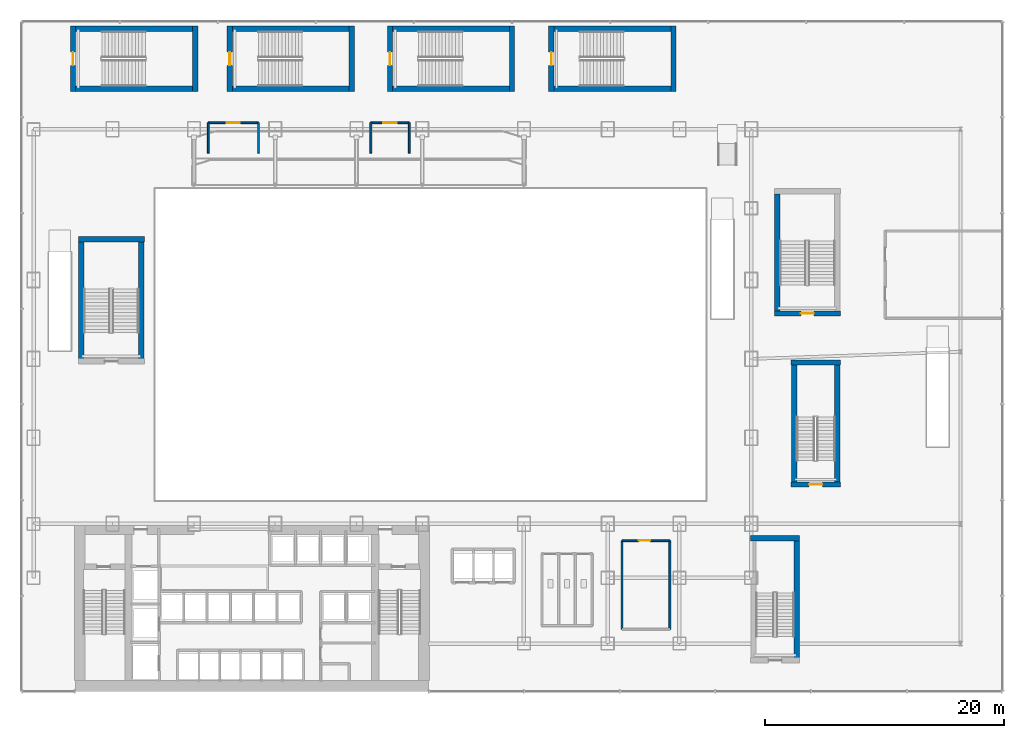
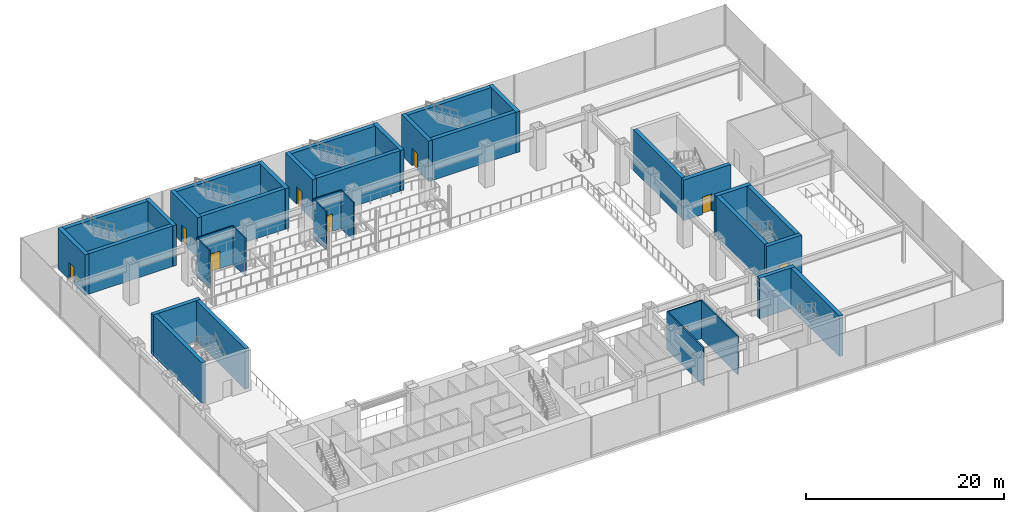
# One storey, part 30 of 39: 36 walls, 9 doors, 9 openings.
"""IFC4 building model written with IfcOpenShell, lengths in metres."""

import ifcopenshell
import ifcopenshell.guid

model = None  # the IFC model being written
_history = None  # IfcOwnerHistory: only IFC2X3 demands one
_inside = {}  # id of a spatial element -> (the spatial element, [elements in it])
_under = {}  # id of a project, library or spatial element -> (it, [spatial elements below it])
_declared = {}  # id of a project -> (the project, [libraries it declares])
_typed = {}  # id of a type object -> (the type object, [elements of that type])
_made_of = {}  # id of a material, layer set ... -> (it, [elements and type objects made of it])


def new_model(schema):
    """Start an empty IFC model of exactly this schema.

    Asked for "IFC4X3", IfcOpenShell would pick the latest addendum, in which some entities
    have other attributes; the version numbers below select the first issue.
    IFC2X3 requires an IfcOwnerHistory on every rooted entity: one is made here for all.
    """
    global model, _history
    if schema == "IFC4X3":
        model = ifcopenshell.file(schema_version=(4, 3, 0, 0))
    else:
        model = ifcopenshell.file(schema=schema)
    _inside.clear()
    _under.clear()
    _declared.clear()
    _typed.clear()
    _made_of.clear()
    _history = None
    if model.schema == "IFC2X3":
        org = make("IfcOrganization", Name="unknown")
        user = make(
            "IfcPersonAndOrganization",
            ThePerson=make("IfcPerson", FamilyName="unknown"),
            TheOrganization=org,
        )
        app = make(
            "IfcApplication",
            ApplicationDeveloper=org,
            Version="unknown",
            ApplicationFullName="unknown",
            ApplicationIdentifier="unknown",
        )
        _history = make(
            "IfcOwnerHistory",
            OwningUser=user,
            OwningApplication=app,
            ChangeAction="ADDED",
            CreationDate=0,
        )
    return model


def make(cls, **values):
    """One entity of the class cls with the attributes given. An attribute that is None is left unset."""
    return model.create_entity(
        cls, **{name: value for name, value in values.items() if value is not None}
    )


def rooted(cls, **values):
    """An entity with a GlobalId (a new one), such as an element, a storey or a relation."""
    return make(cls, GlobalId=ifcopenshell.guid.new(), OwnerHistory=_history, **values)


def si_unit(unit_type, name, prefix=None):
    """IfcSIUnit, for example si_unit("LENGTHUNIT", "METRE", prefix="MILLI")."""
    return make("IfcSIUnit", UnitType=unit_type, Prefix=prefix, Name=name)


def derived_unit(unit_type, elements):
    """IfcDerivedUnit: a product of units, each with its exponent."""
    return make(
        "IfcDerivedUnit",
        Elements=[
            make("IfcDerivedUnitElement", Unit=unit, Exponent=power)
            for unit, power in elements
        ],
        UnitType=unit_type,
    )


def assignment(units):
    """IfcUnitAssignment: the units of a project."""
    return None if units is None else make("IfcUnitAssignment", Units=units)


def point(xyz):
    """IfcCartesianPoint."""
    return None if xyz is None else make("IfcCartesianPoint", Coordinates=xyz)


def direction(xyz):
    """IfcDirection."""
    return None if xyz is None else make("IfcDirection", DirectionRatios=xyz)


def frame(location, z_axis=None, x_axis=None):
    """IfcAxis2Placement3D, a coordinate frame: its origin and axes. An axis left out is left unset."""
    return make(
        "IfcAxis2Placement3D",
        Location=point(location),
        Axis=direction(z_axis),
        RefDirection=direction(x_axis),
    )


def frame_2d(location, x_axis=None):
    """IfcAxis2Placement2D, a coordinate frame in the plane: its origin and x axis."""
    return make(
        "IfcAxis2Placement2D", Location=point(location), RefDirection=direction(x_axis)
    )


def origin():
    """The frame at (0, 0, 0) with its axes left unset."""
    return frame((0.0, 0.0, 0.0))


def place(relative_to, where):
    """IfcLocalPlacement: puts the frame where relative to a parent placement (None: the world)."""
    return make(
        "IfcLocalPlacement", PlacementRelTo=relative_to, RelativePlacement=where
    )


def context(
    kind, dimensions, precision=None, world=None, true_north=None, identifier=None
):
    """IfcGeometricRepresentationContext, for example the 3D "Model" context."""
    return make(
        "IfcGeometricRepresentationContext",
        ContextIdentifier=identifier,
        ContextType=kind,
        CoordinateSpaceDimension=dimensions,
        Precision=precision,
        WorldCoordinateSystem=world,
        TrueNorth=true_north,
    )


def subcontext(parent, identifier, kind, view, scale=None):
    """IfcGeometricRepresentationSubContext, for example "Body" below "Model"."""
    return make(
        "IfcGeometricRepresentationSubContext",
        ContextIdentifier=identifier,
        ContextType=kind,
        ParentContext=parent,
        TargetScale=scale,
        TargetView=view,
    )


def project(units=None, contexts=None):
    """IfcProject with its units and contexts."""
    return rooted(
        "IfcProject",
        Name="project",
        RepresentationContexts=contexts,
        UnitsInContext=assignment(units),
    )


def spatial(cls, under=None, at=None, **own):
    """A site, building, storey or space (cls), placed at a placement, below another one or the project."""
    s = rooted(cls, ObjectPlacement=at, **own)
    if under is not None:
        _under.setdefault(under.id(), (under, []))[1].append(s)
    return s


def profile(cls, at=None, kind="AREA", **sizes):
    """A parametric profile (cls). Its sizes go by their IFC names, for example OverallWidth=200.0."""
    return make(cls, ProfileType=kind, Position=at, **sizes)


def rectangle(**sizes):
    """IfcRectangleProfileDef."""
    return profile("IfcRectangleProfileDef", **sizes)


def extrude(swept, where, along, depth):
    """IfcExtrudedAreaSolid: the profile swept, set in the frame where, extruded along a direction by depth."""
    return make(
        "IfcExtrudedAreaSolid",
        SweptArea=swept,
        Position=where,
        ExtrudedDirection=direction(along),
        Depth=depth,
    )


def shape(context_of_items, identifier, shape_type, items):
    """IfcShapeRepresentation: the items that make up one representation, for example the "Body"."""
    return make(
        "IfcShapeRepresentation",
        ContextOfItems=context_of_items,
        RepresentationIdentifier=identifier,
        RepresentationType=shape_type,
        Items=items,
    )


def source(mapping_origin, context_of_items, identifier, shape_type, items):
    """IfcRepresentationMap: a shape defined once, which mapped items show again and again."""
    return make(
        "IfcRepresentationMap",
        MappingOrigin=mapping_origin,
        MappedRepresentation=shape(context_of_items, identifier, shape_type, items),
    )


def transform(
    local_origin,
    x_axis=None,
    y_axis=None,
    z_axis=None,
    scale=None,
    scale2=None,
    scale3=None,
    uniform=True,
):
    """IfcCartesianTransformationOperator3D, or its non-uniform kind. x_axis, y_axis, z_axis: its Axis1, 2, 3."""
    if uniform:
        return make(
            "IfcCartesianTransformationOperator3D",
            Axis1=direction(x_axis),
            Axis2=direction(y_axis),
            LocalOrigin=point(local_origin),
            Scale=scale,
            Axis3=direction(z_axis),
        )
    return make(
        "IfcCartesianTransformationOperator3DnonUniform",
        Axis1=direction(x_axis),
        Axis2=direction(y_axis),
        LocalOrigin=point(local_origin),
        Scale=scale,
        Axis3=direction(z_axis),
        Scale2=scale2,
        Scale3=scale3,
    )


def mapped(mapping_source, mapping_target):
    """IfcMappedItem: shows the shape of a source again, moved by a transform."""
    return make(
        "IfcMappedItem", MappingSource=mapping_source, MappingTarget=mapping_target
    )


def material(Name=None, Category=None):
    """IfcMaterial."""
    return make("IfcMaterial", Name=Name, Category=Category)


def layer(
    of_material, thickness, ventilated=None, Name=None, Category=None, Priority=None
):
    """IfcMaterialLayer: one layer of a wall or slab, of a material (None: an air gap)."""
    return make(
        "IfcMaterialLayer",
        Material=of_material,
        LayerThickness=thickness,
        IsVentilated=ventilated,
        Name=Name,
        Category=Category,
        Priority=Priority,
    )


def layer_set(layers, Name=None):
    """IfcMaterialLayerSet."""
    return make("IfcMaterialLayerSet", MaterialLayers=layers, LayerSetName=Name)


def made_of(thing, what):
    """Note that an element or type object is made of a material, layer set ...; save() writes the relation."""
    if what is not None:
        _made_of.setdefault(what.id(), (what, []))[1].append(thing)
    return thing


def type_object(cls, material=None, **own):
    """A type object (cls), such as IfcWallType, which elements share."""
    return made_of(rooted(cls, **own), material)


def element(
    cls,
    number,
    at=None,
    inside=None,
    cuts=None,
    type_object=None,
    material=None,
    context=None,
    identifier="Body",
    shape_type=None,
    held_by="IfcProductDefinitionShape",
    body=None,
    shapes=None,
    **own,
):
    """One element of the class cls, such as IfcWall. Its Tag is "e" and its number.

    at: its placement. inside: the storey or other place that contains it. cuts: it is an
    opening in that element (IfcRelVoidsElement). A single representation is given by context,
    identifier, shape_type and body (its items); several are given by shapes. held_by: the class
    of the entity that holds the representations. save() writes the other relations.
    """
    e = rooted(cls, Tag="e%d" % number, ObjectPlacement=at, **own)
    if body is not None:
        shapes = [shape(context, identifier, shape_type, body)]
    if shapes is not None:
        e.Representation = make(held_by, Representations=shapes)
    if inside is not None:
        _inside.setdefault(inside.id(), (inside, []))[1].append(e)
    if cuts is not None:
        rooted(
            "IfcRelVoidsElement", RelatingBuildingElement=cuts, RelatedOpeningElement=e
        )
    if type_object is not None:
        _typed.setdefault(type_object.id(), (type_object, []))[1].append(e)
    return made_of(e, material)


def fill(opening, filler):
    """IfcRelFillsElement: the door or window that sits in an opening."""
    return rooted(
        "IfcRelFillsElement",
        RelatingOpeningElement=opening,
        RelatedBuildingElement=filler,
    )


def aggregate(whole, parts):
    """IfcRelAggregates: a whole, such as a stair, and the parts it consists of."""
    return rooted("IfcRelAggregates", RelatingObject=whole, RelatedObjects=parts)


def save(model, path):
    """Write the relations noted so far, then the file.

    IfcRelAggregates (storeys below a building ...), IfcRelContainedInSpatialStructure (elements
    in a storey), IfcRelDefinesByType, IfcRelAssociatesMaterial and IfcRelDeclares: one each for
    every whole, place, type object, material and project.
    """
    for whole, parts in _under.values():
        aggregate(whole, parts)
    for where, things in _inside.values():
        rooted(
            "IfcRelContainedInSpatialStructure",
            RelatedElements=things,
            RelatingStructure=where,
        )
    for kind, things in _typed.values():
        rooted("IfcRelDefinesByType", RelatedObjects=things, RelatingType=kind)
    for what, things in _made_of.values():
        rooted("IfcRelAssociatesMaterial", RelatedObjects=things, RelatingMaterial=what)
    for by, libraries in _declared.values():
        rooted("IfcRelDeclares", RelatingContext=by, RelatedDefinitions=libraries)
    model.write(path)


model = new_model("IFC4")

# Units and contexts
model_context = context("Model", 3, precision=1e-05, world=origin(), true_north=direction((0.0, 1.0)))
body_context = subcontext(model_context, "Body", "Model", "MODEL_VIEW")
ifc_project = project(units=[si_unit("LENGTHUNIT", "METRE"), si_unit("AREAUNIT", "SQUARE_METRE"), si_unit("VOLUMEUNIT", "CUBIC_METRE"), si_unit("PLANEANGLEUNIT", "RADIAN"), si_unit("MASSUNIT", "GRAM", prefix="KILO"), derived_unit("THERMALTRANSMITTANCEUNIT", [(si_unit("POWERUNIT", "WATT"), 1), (si_unit("LENGTHUNIT", "METRE"), -2), (si_unit("THERMODYNAMICTEMPERATUREUNIT", "KELVIN"), -1)])], contexts=[model_context])

# Site, building, storey
site_placement = place(None, origin())
site = spatial("IfcSite", under=ifc_project, at=site_placement, CompositionType="ELEMENT")
building_placement = place(site_placement, origin())
building = spatial("IfcBuilding", under=site, at=building_placement, Name="Skarnbrae Concourse Arena and Tower", CompositionType="ELEMENT")
storey_placement = place(building_placement, frame((0.0, 0.0, 11.0)))
storey = spatial("IfcBuildingStorey", under=building, at=storey_placement, Name="L02", CompositionType="ELEMENT", Elevation=11.0)

# Walls
ifc_material_1 = material(Name="Concrete 50 MPa (C50/60)", Category="concrete")
ifc_layer_1 = layer(ifc_material_1, 0.449951171875)
ifc_layer_set_1 = layer_set([ifc_layer_1], Name="Concrete 50 MPa (C50/60)")
wall_type_1 = type_object("IfcWallType", Name="WALL-CORE-450-C50", PredefinedType="SHEAR", material=ifc_layer_set_1)
shared_shape_1 = source(origin(), body_context, "Body", "SweptSolid", [
    extrude(rectangle(XDim=4.10009765625, YDim=0.449951171875, at=frame_2d((2.050048828125, 0.0))), origin(), (0.0, 0.0, 1.0), 5.0),
])
wall_1_placement = place(storey_placement, frame((60.949951171875, 12.804931640625, 0.0), z_axis=(0.0, 0.0, 1.0), x_axis=(1.0, 0.0, 0.0)))
element("IfcWall", 1, at=wall_1_placement, inside=storey, type_object=wall_type_1, Name="L02 Protected stair shaft wall ST-A1-N", PredefinedType="SHEAR", context=body_context, shape_type="MappedRepresentation", body=[
    mapped(shared_shape_1, transform((0.0, 0.0, 0.0))),
])
shared_shape_2 = source(origin(), body_context, "Body", "SweptSolid", [
    extrude(rectangle(XDim=9.800048828125, YDim=0.449951171875, at=frame_2d((4.89990234375, 0.0))), origin(), (0.0, 0.0, 1.0), 5.0),
])
for number, where, z_axis, x_axis, name in (
    (2, (64.804931640625, 2.800048828125, 0.0), (0.0, 0.0, 1.0), (0.0, 1.0, 0.0), "L02 Protected stair shaft wall ST-A1-E"),
    (3, (64.594970703125, 17.5, 0.0), (0.0, 0.0, 1.0), (0.0, 1.0, 0.0), "L02 Protected stair shaft wall ST-A2-W"),
    (4, (68.205078125, 17.5, 0.0), (0.0, 0.0, 1.0), (0.0, 1.0, 0.0), "L02 Protected stair shaft wall ST-A2-E"),
    (5, (4.9951171875, 27.800048828125, 0.0), (0.0, 0.0, 1.0), (0.0, 1.0, 0.0), "L02 Protected stair shaft wall ST-A3-W"),
    (6, (10.0048828125, 27.800048828125, 0.0), (0.0, 0.0, 1.0), (0.0, 1.0, 0.0), "L02 Protected stair shaft wall ST-A3-E"),
    (7, (63.195068359375, 31.800048828125, 0.0), (0.0, 0.0, 1.0), (0.0, 1.0, 0.0), "L02 Protected stair shaft wall ST-A4-W"),
    (8, (4.5, 50.39501953125, 0.0), (0.0, 0.0, 1.0), (1.0, 0.0, 0.0), "L02 Protected stair shaft wall ST-A5-S"),
    (9, (4.5, 55.405029296875, 0.0), (0.0, 0.0, 1.0), (1.0, 0.0, 0.0), "L02 Protected stair shaft wall ST-A5-N"),
    (10, (31.0, 50.39501953125, 0.0), (0.0, 0.0, 1.0), (1.0, 0.0, 0.0), "L02 Protected stair shaft wall ST-A7-S"),
    (11, (31.0, 55.405029296875, 0.0), (0.0, 0.0, 1.0), (1.0, 0.0, 0.0), "L02 Protected stair shaft wall ST-A7-N"),
    (12, (44.5, 50.39501953125, 0.0), (0.0, 0.0, 1.0), (1.0, 0.0, 0.0), "L02 Protected stair shaft wall ST-A8-S"),
    (13, (44.5, 55.405029296875, 0.0), (0.0, 0.0, 1.0), (1.0, 0.0, 0.0), "L02 Protected stair shaft wall ST-A8-N"),
):
    element("IfcWall", number, at=place(storey_placement, frame(where, z_axis=z_axis, x_axis=x_axis)), inside=storey, type_object=wall_type_1, Name=name, PredefinedType="SHEAR", context=body_context, shape_type="MappedRepresentation", body=[
        mapped(shared_shape_2, transform((0.0, 0.0, 0.0))),
    ])

# Wall, opening, door
shared_shape_3 = source(origin(), body_context, "Body", "SweptSolid", [
    extrude(rectangle(XDim=4.099853515625, YDim=0.449951171875, at=frame_2d((2.0498046875, 0.0))), origin(), (0.0, 0.0, 1.0), 5.0),
])
wall_2_placement = place(storey_placement, frame((64.35009765625, 17.294921875, 0.0), z_axis=(0.0, 0.0, 1.0), x_axis=(1.0, 0.0, 0.0)))
wall_2 = element("IfcWall", 14, at=wall_2_placement, inside=storey, type_object=wall_type_1, Name="L02 Protected stair shaft wall ST-A2-S", PredefinedType="SHEAR", context=body_context, shape_type="MappedRepresentation", body=[
    mapped(shared_shape_3, transform((0.0, 0.0, 0.0))),
])
opening_1_placement = place(wall_2_placement, frame((1.5, 0.0, 0.0)))
opening_1 = element("IfcOpeningElement", 15, at=opening_1_placement, cuts=wall_2, Name="Opening DT-03", PredefinedType="OPENING", context=body_context, shape_type="SweptSolid", body=[
    extrude(rectangle(XDim=1.10009765625, YDim=2.14990234375, at=frame_2d((0.550048828125, 1.074951171875))), frame((0.0, 0.23486328125, 0.0), z_axis=(0.0, -1.0, 0.0), x_axis=(1.0, 0.0, 0.0)), (0.0, 0.0, 1.0), 0.469970703125),
])
ifc_material_2 = material(Name="Steel CSA G40.21 350W", Category="steel")
door_type_1 = type_object("IfcDoorType", Name="DOOR-FIRE-1100-90M", OperationType="NOTDEFINED", PredefinedType="DOOR", material=ifc_material_2)
shared_shape_4 = source(origin(), body_context, "Body", "SweptSolid", [
    extrude(rectangle(XDim=1.10009765625, YDim=2.14990234375, at=frame_2d((0.550048828125, 1.074951171875))), frame((0.0, 0.02490234375, 0.0), z_axis=(0.0, -1.0, 0.0), x_axis=(1.0, 0.0, 0.0)), (0.0, 0.0, 1.0), 0.050048828125),
])
door_1_placement = place(opening_1_placement, origin())
door_1 = element("IfcDoor", 16, at=door_1_placement, inside=storey, type_object=door_type_1, Name="D-0248 Exit Stair ST-A2 Door", OperationType="SINGLE_SWING_LEFT", OverallHeight=2.14990234375, OverallWidth=1.10009765625, PredefinedType="DOOR", context=body_context, shape_type="MappedRepresentation", body=[
    mapped(shared_shape_4, transform((0.0, 0.0, 0.0))),
])
fill(opening_1, door_1)

# Walls
wall_3_placement = place(storey_placement, frame((64.35009765625, 27.5048828125, 0.0), z_axis=(0.0, 0.0, 1.0), x_axis=(1.0, 0.0, 0.0)))
element("IfcWall", 17, at=wall_3_placement, inside=storey, type_object=wall_type_1, Name="L02 Protected stair shaft wall ST-A2-N", PredefinedType="SHEAR", context=body_context, shape_type="MappedRepresentation", body=[
    mapped(shared_shape_3, transform((0.0, 0.0, 0.0))),
])
shared_shape_5 = source(origin(), body_context, "Body", "SweptSolid", [
    extrude(rectangle(XDim=5.5, YDim=0.449951171875, at=frame_2d((2.75, 0.0))), origin(), (0.0, 0.0, 1.0), 5.0),
])
wall_4_placement = place(storey_placement, frame((4.75, 37.804931640625, 0.0), z_axis=(0.0, 0.0, 1.0), x_axis=(1.0, 0.0, 0.0)))
element("IfcWall", 18, at=wall_4_placement, inside=storey, type_object=wall_type_1, Name="L02 Protected stair shaft wall ST-A3-N", PredefinedType="SHEAR", context=body_context, shape_type="MappedRepresentation", body=[
    mapped(shared_shape_5, transform((0.0, 0.0, 0.0))),
])

# Wall, opening, door
wall_5_placement = place(storey_placement, frame((62.949951171875, 31.594970703125, 0.0), z_axis=(0.0, 0.0, 1.0), x_axis=(1.0, 0.0, 0.0)))
wall_5 = element("IfcWall", 19, at=wall_5_placement, inside=storey, type_object=wall_type_1, Name="L02 Protected stair shaft wall ST-A4-S", PredefinedType="SHEAR", context=body_context, shape_type="MappedRepresentation", body=[
    mapped(shared_shape_5, transform((0.0, 0.0, 0.0))),
])
opening_2_placement = place(wall_5_placement, frame((2.199951171875, 0.0, 0.0)))
opening_2 = element("IfcOpeningElement", 20, at=opening_2_placement, cuts=wall_5, Name="Opening DT-03", PredefinedType="OPENING", context=body_context, shape_type="SweptSolid", body=[
    extrude(rectangle(XDim=1.10009765625, YDim=2.14990234375, at=frame_2d((0.550048828125, 1.074951171875))), frame((0.0, 0.23486328125, 0.0), z_axis=(0.0, -1.0, 0.0), x_axis=(1.0, 0.0, 0.0)), (0.0, 0.0, 1.0), 0.469970703125),
])
door_2_placement = place(opening_2_placement, origin())
door_2 = element("IfcDoor", 21, at=door_2_placement, inside=storey, type_object=door_type_1, Name="D-0250 Exit Stair ST-A4 Door", OperationType="SINGLE_SWING_LEFT", OverallHeight=2.14990234375, OverallWidth=1.10009765625, PredefinedType="DOOR", context=body_context, shape_type="MappedRepresentation", body=[
    mapped(shared_shape_4, transform((0.0, 0.0, 0.0))),
])
fill(opening_2, door_2)

wall_6_placement = place(storey_placement, frame((4.294921875, 50.14990234375, 0.0), z_axis=(0.0, 0.0, 1.0), x_axis=(0.0, 1.0, 0.0)))
wall_6 = element("IfcWall", 22, at=wall_6_placement, inside=storey, type_object=wall_type_1, Name="L02 Protected stair shaft wall ST-A5-W", PredefinedType="SHEAR", context=body_context, shape_type="MappedRepresentation", body=[
    mapped(shared_shape_5, transform((0.0, 0.0, 0.0))),
])
opening_3_placement = place(wall_6_placement, frame((2.199951171875, 0.0, 0.0)))
opening_3 = element("IfcOpeningElement", 23, at=opening_3_placement, cuts=wall_6, Name="Opening DT-03", PredefinedType="OPENING", context=body_context, shape_type="SweptSolid", body=[
    extrude(rectangle(XDim=1.10009765625, YDim=2.14990234375, at=frame_2d((0.550048828125, 1.074951171875))), frame((0.0, 0.23486328125, 0.0), z_axis=(0.0, -1.0, 0.0), x_axis=(1.0, 0.0, 0.0)), (0.0, 0.0, 1.0), 0.469970703125),
])
door_3_placement = place(opening_3_placement, frame((1.10009765625, 0.0, 0.0), z_axis=(0.0, 0.0, 1.0), x_axis=(-1.0, 0.0, 0.0)))
door_3 = element("IfcDoor", 24, at=door_3_placement, inside=storey, type_object=door_type_1, Name="D-0251 Exit Stair ST-A5 Door", OperationType="SINGLE_SWING_LEFT", OverallHeight=2.14990234375, OverallWidth=1.10009765625, PredefinedType="DOOR", context=body_context, shape_type="MappedRepresentation", body=[
    mapped(shared_shape_4, transform((0.0, 0.0, 0.0))),
])
fill(opening_3, door_3)

# Wall
wall_7_placement = place(storey_placement, frame((14.5048828125, 50.14990234375, 0.0), z_axis=(0.0, 0.0, 1.0), x_axis=(0.0, 1.0, 0.0)))
element("IfcWall", 25, at=wall_7_placement, inside=storey, type_object=wall_type_1, Name="L02 Protected stair shaft wall ST-A5-E", PredefinedType="SHEAR", context=body_context, shape_type="MappedRepresentation", body=[
    mapped(shared_shape_5, transform((0.0, 0.0, 0.0))),
])

# Wall, opening, door
wall_8_placement = place(storey_placement, frame((17.39501953125, 50.14990234375, 0.0), z_axis=(0.0, 0.0, 1.0), x_axis=(0.0, 1.0, 0.0)))
wall_8 = element("IfcWall", 26, at=wall_8_placement, inside=storey, type_object=wall_type_1, Name="L02 Protected stair shaft wall ST-A6-W", PredefinedType="SHEAR", context=body_context, shape_type="MappedRepresentation", body=[
    mapped(shared_shape_5, transform((0.0, 0.0, 0.0))),
])
opening_4_placement = place(wall_8_placement, frame((2.199951171875, 0.0, 0.0)))
opening_4 = element("IfcOpeningElement", 27, at=opening_4_placement, cuts=wall_8, Name="Opening DT-03", PredefinedType="OPENING", context=body_context, shape_type="SweptSolid", body=[
    extrude(rectangle(XDim=1.10009765625, YDim=2.14990234375, at=frame_2d((0.550048828125, 1.074951171875))), frame((0.0, 0.23486328125, 0.0), z_axis=(0.0, -1.0, 0.0), x_axis=(1.0, 0.0, 0.0)), (0.0, 0.0, 1.0), 0.469970703125),
])
door_4_placement = place(opening_4_placement, frame((1.10009765625, 0.0, 0.0), z_axis=(0.0, 0.0, 1.0), x_axis=(-1.0, 0.0, 0.0)))
door_4 = element("IfcDoor", 28, at=door_4_placement, inside=storey, type_object=door_type_1, Name="D-0252 Exit Stair ST-A6 Door", OperationType="SINGLE_SWING_LEFT", OverallHeight=2.14990234375, OverallWidth=1.10009765625, PredefinedType="DOOR", context=body_context, shape_type="MappedRepresentation", body=[
    mapped(shared_shape_4, transform((0.0, 0.0, 0.0))),
])
fill(opening_4, door_4)

# Wall
wall_9_placement = place(storey_placement, frame((27.60498046875, 50.14990234375, 0.0), z_axis=(0.0, 0.0, 1.0), x_axis=(0.0, 1.0, 0.0)))
element("IfcWall", 29, at=wall_9_placement, inside=storey, type_object=wall_type_1, Name="L02 Protected stair shaft wall ST-A6-E", PredefinedType="SHEAR", context=body_context, shape_type="MappedRepresentation", body=[
    mapped(shared_shape_5, transform((0.0, 0.0, 0.0))),
])

# Wall, opening, door
wall_10_placement = place(storey_placement, frame((30.794921875, 50.14990234375, 0.0), z_axis=(0.0, 0.0, 1.0), x_axis=(0.0, 1.0, 0.0)))
wall_10 = element("IfcWall", 30, at=wall_10_placement, inside=storey, type_object=wall_type_1, Name="L02 Protected stair shaft wall ST-A7-W", PredefinedType="SHEAR", context=body_context, shape_type="MappedRepresentation", body=[
    mapped(shared_shape_5, transform((0.0, 0.0, 0.0))),
])
opening_5_placement = place(wall_10_placement, frame((2.199951171875, 0.0, 0.0)))
opening_5 = element("IfcOpeningElement", 31, at=opening_5_placement, cuts=wall_10, Name="Opening DT-03", PredefinedType="OPENING", context=body_context, shape_type="SweptSolid", body=[
    extrude(rectangle(XDim=1.10009765625, YDim=2.14990234375, at=frame_2d((0.550048828125, 1.074951171875))), frame((0.0, 0.23486328125, 0.0), z_axis=(0.0, -1.0, 0.0), x_axis=(1.0, 0.0, 0.0)), (0.0, 0.0, 1.0), 0.469970703125),
])
door_5_placement = place(opening_5_placement, frame((1.10009765625, 0.0, 0.0), z_axis=(0.0, 0.0, 1.0), x_axis=(-1.0, 0.0, 0.0)))
door_5 = element("IfcDoor", 32, at=door_5_placement, inside=storey, type_object=door_type_1, Name="D-0253 Exit Stair ST-A7 Door", OperationType="SINGLE_SWING_LEFT", OverallHeight=2.14990234375, OverallWidth=1.10009765625, PredefinedType="DOOR", context=body_context, shape_type="MappedRepresentation", body=[
    mapped(shared_shape_4, transform((0.0, 0.0, 0.0))),
])
fill(opening_5, door_5)

# Wall
wall_11_placement = place(storey_placement, frame((41.0048828125, 50.14990234375, 0.0), z_axis=(0.0, 0.0, 1.0), x_axis=(0.0, 1.0, 0.0)))
element("IfcWall", 33, at=wall_11_placement, inside=storey, type_object=wall_type_1, Name="L02 Protected stair shaft wall ST-A7-E", PredefinedType="SHEAR", context=body_context, shape_type="MappedRepresentation", body=[
    mapped(shared_shape_5, transform((0.0, 0.0, 0.0))),
])

# Wall, opening, door
wall_12_placement = place(storey_placement, frame((44.294921875, 50.14990234375, 0.0), z_axis=(0.0, 0.0, 1.0), x_axis=(0.0, 1.0, 0.0)))
wall_12 = element("IfcWall", 34, at=wall_12_placement, inside=storey, type_object=wall_type_1, Name="L02 Protected stair shaft wall ST-A8-W", PredefinedType="SHEAR", context=body_context, shape_type="MappedRepresentation", body=[
    mapped(shared_shape_5, transform((0.0, 0.0, 0.0))),
])
opening_6_placement = place(wall_12_placement, frame((2.199951171875, 0.0, 0.0)))
opening_6 = element("IfcOpeningElement", 35, at=opening_6_placement, cuts=wall_12, Name="Opening DT-03", PredefinedType="OPENING", context=body_context, shape_type="SweptSolid", body=[
    extrude(rectangle(XDim=1.10009765625, YDim=2.14990234375, at=frame_2d((0.550048828125, 1.074951171875))), frame((0.0, 0.23486328125, 0.0), z_axis=(0.0, -1.0, 0.0), x_axis=(1.0, 0.0, 0.0)), (0.0, 0.0, 1.0), 0.469970703125),
])
door_6_placement = place(opening_6_placement, frame((1.10009765625, 0.0, 0.0), z_axis=(0.0, 0.0, 1.0), x_axis=(-1.0, 0.0, 0.0)))
door_6 = element("IfcDoor", 36, at=door_6_placement, inside=storey, type_object=door_type_1, Name="D-0254 Exit Stair ST-A8 Door", OperationType="SINGLE_SWING_LEFT", OverallHeight=2.14990234375, OverallWidth=1.10009765625, PredefinedType="DOOR", context=body_context, shape_type="MappedRepresentation", body=[
    mapped(shared_shape_4, transform((0.0, 0.0, 0.0))),
])
fill(opening_6, door_6)

# Walls
wall_13_placement = place(storey_placement, frame((54.5048828125, 50.14990234375, 0.0), z_axis=(0.0, 0.0, 1.0), x_axis=(0.0, 1.0, 0.0)))
element("IfcWall", 37, at=wall_13_placement, inside=storey, type_object=wall_type_1, Name="L02 Protected stair shaft wall ST-A8-E", PredefinedType="SHEAR", context=body_context, shape_type="MappedRepresentation", body=[
    mapped(shared_shape_5, transform((0.0, 0.0, 0.0))),
])
shared_shape_6 = source(origin(), body_context, "Body", "SweptSolid", [
    extrude(rectangle(XDim=9.7998046875, YDim=0.449951171875, at=frame_2d((4.89990234375, 0.0))), origin(), (0.0, 0.0, 1.0), 5.0),
])
for number, where, z_axis, x_axis, name in (
    (38, (17.60009765625, 50.39501953125, 0.0), (0.0, 0.0, 1.0), (1.0, 0.0, 0.0), "L02 Protected stair shaft wall ST-A6-S"),
    (39, (17.60009765625, 55.405029296875, 0.0), (0.0, 0.0, 1.0), (1.0, 0.0, 0.0), "L02 Protected stair shaft wall ST-A6-N"),
):
    element("IfcWall", number, at=place(storey_placement, frame(where, z_axis=z_axis, x_axis=x_axis)), inside=storey, type_object=wall_type_1, Name=name, PredefinedType="SHEAR", context=body_context, shape_type="MappedRepresentation", body=[
        mapped(shared_shape_6, transform((0.0, 0.0, 0.0))),
    ])

# Wall, opening, door
ifc_material_3 = material(Name="Gypsum board on cold-formed steel studs", Category="steel")
ifc_layer_2 = layer(ifc_material_3, 0.14990234375)
ifc_layer_set_2 = layer_set([ifc_layer_2], Name="Gypsum board on cold-formed steel studs")
wall_type_2 = type_object("IfcWallType", Name="WALL-PART-150-1HR", PredefinedType="PARTITIONING", material=ifc_layer_set_2)
shared_shape_7 = source(origin(), body_context, "Body", "SweptSolid", [
    extrude(rectangle(XDim=4.199951171875, YDim=0.14990234375, at=frame_2d((2.10009765625, 0.0))), origin(), (0.0, 0.0, 1.0), 4.699951171875),
])
wall_14_placement = place(storey_placement, frame((15.60009765625, 47.550048828125, 0.0), z_axis=(0.0, 0.0, 1.0), x_axis=(1.0, 0.0, 0.0)))
wall_14 = element("IfcWall", 40, at=wall_14_placement, inside=storey, type_object=wall_type_2, Name="L02 Interior partition wall W-L02-VM9-N", PredefinedType="PARTITIONING", context=body_context, shape_type="MappedRepresentation", body=[
    mapped(shared_shape_7, transform((0.0, 0.0, 0.0))),
])
opening_7_placement = place(wall_14_placement, frame((1.550048828125, 0.0, 0.0)))
opening_7 = element("IfcOpeningElement", 41, at=opening_7_placement, cuts=wall_14, Name="Opening DT-03", PredefinedType="OPENING", context=body_context, shape_type="SweptSolid", body=[
    extrude(rectangle(XDim=1.10009765625, YDim=2.14990234375, at=frame_2d((0.550048828125, 1.074951171875))), frame((0.0, 0.0849609375, 0.0), z_axis=(0.0, -1.0, 0.0), x_axis=(1.0, 0.0, 0.0)), (0.0, 0.0, 1.0), 0.169921875),
])
door_7_placement = place(opening_7_placement, frame((1.10009765625, 0.0, 0.0), z_axis=(0.0, 0.0, 1.0), x_axis=(-1.0, 0.0, 0.0)))
door_7 = element("IfcDoor", 42, at=door_7_placement, inside=storey, type_object=door_type_1, Name="D-0242 Arena Vomitory V-09 Concourse Door", OperationType="SINGLE_SWING_LEFT", OverallHeight=2.14990234375, OverallWidth=1.10009765625, PredefinedType="DOOR", context=body_context, shape_type="MappedRepresentation", body=[
    mapped(shared_shape_4, transform((0.0, 0.0, 0.0))),
])
fill(opening_7, door_7)

# Walls
shared_shape_8 = source(origin(), body_context, "Body", "SweptSolid", [
    extrude(rectangle(XDim=2.550048828125, YDim=0.14990234375, at=frame_2d((1.27490234375, 0.0))), origin(), (0.0, 0.0, 1.0), 4.699951171875),
])
for number, where, z_axis, x_axis, name in (
    (43, (15.60009765625, 45.0, 0.0), (0.0, 0.0, 1.0), (0.0, 1.0, 0.0), "L02 Interior partition wall W-L02-VM9-W"),
    (44, (19.800048828125, 45.0, 0.0), (0.0, 0.0, 1.0), (0.0, 1.0, 0.0), "L02 Interior partition wall W-L02-VM9-E"),
    (45, (29.199951171875, 45.0, 0.0), (0.0, 0.0, 1.0), (0.0, 1.0, 0.0), "L02 Interior partition wall W-L02-VM10-W"),
    (46, (32.39990234375, 45.0, 0.0), (0.0, 0.0, 1.0), (0.0, 1.0, 0.0), "L02 Interior partition wall W-L02-VM10-E"),
):
    element("IfcWall", number, at=place(storey_placement, frame(where, z_axis=z_axis, x_axis=x_axis)), inside=storey, type_object=wall_type_2, Name=name, PredefinedType="PARTITIONING", context=body_context, shape_type="MappedRepresentation", body=[
        mapped(shared_shape_8, transform((0.0, 0.0, 0.0))),
    ])

# Wall, opening, door
shared_shape_9 = source(origin(), body_context, "Body", "SweptSolid", [
    extrude(rectangle(XDim=3.199951171875, YDim=0.14990234375, at=frame_2d((1.60009765625, 0.0))), origin(), (0.0, 0.0, 1.0), 4.699951171875),
])
wall_15_placement = place(storey_placement, frame((29.199951171875, 47.550048828125, 0.0), z_axis=(0.0, 0.0, 1.0), x_axis=(1.0, 0.0, 0.0)))
wall_15 = element("IfcWall", 47, at=wall_15_placement, inside=storey, type_object=wall_type_2, Name="L02 Interior partition wall W-L02-VM10-N", PredefinedType="PARTITIONING", context=body_context, shape_type="MappedRepresentation", body=[
    mapped(shared_shape_9, transform((0.0, 0.0, 0.0))),
])
opening_8_placement = place(wall_15_placement, frame((1.050048828125, 0.0, 0.0)))
opening_8 = element("IfcOpeningElement", 48, at=opening_8_placement, cuts=wall_15, Name="Opening DT-03", PredefinedType="OPENING", context=body_context, shape_type="SweptSolid", body=[
    extrude(rectangle(XDim=1.10009765625, YDim=2.14990234375, at=frame_2d((0.550048828125, 1.074951171875))), frame((0.0, 0.0849609375, 0.0), z_axis=(0.0, -1.0, 0.0), x_axis=(1.0, 0.0, 0.0)), (0.0, 0.0, 1.0), 0.169921875),
])
door_8_placement = place(opening_8_placement, frame((1.10009765625, 0.0, 0.0), z_axis=(0.0, 0.0, 1.0), x_axis=(-1.0, 0.0, 0.0)))
door_8 = element("IfcDoor", 49, at=door_8_placement, inside=storey, type_object=door_type_1, Name="D-0243 Arena Vomitory V-10 Concourse Door", OperationType="SINGLE_SWING_LEFT", OverallHeight=2.14990234375, OverallWidth=1.10009765625, PredefinedType="DOOR", context=body_context, shape_type="MappedRepresentation", body=[
    mapped(shared_shape_4, transform((0.0, 0.0, 0.0))),
])
fill(opening_8, door_8)

shared_shape_10 = source(origin(), body_context, "Body", "SweptSolid", [
    extrude(rectangle(XDim=4.0, YDim=0.14990234375, at=frame_2d((2.0, 0.0))), origin(), (0.0, 0.0, 1.0), 4.699951171875),
])
wall_16_placement = place(storey_placement, frame((50.199951171875, 12.60009765625, 0.0), z_axis=(0.0, 0.0, 1.0), x_axis=(1.0, 0.0, 0.0)))
wall_16 = element("IfcWall", 50, at=wall_16_placement, inside=storey, type_object=wall_type_2, Name="L02 Interior partition wall W-L02-CAT-N", PredefinedType="PARTITIONING", context=body_context, shape_type="MappedRepresentation", body=[
    mapped(shared_shape_10, transform((0.0, 0.0, 0.0))),
])
opening_9_placement = place(wall_16_placement, frame((1.39990234375, 0.0, 0.0)))
opening_9 = element("IfcOpeningElement", 51, at=opening_9_placement, cuts=wall_16, Name="Opening DT-04", PredefinedType="OPENING", context=body_context, shape_type="SweptSolid", body=[
    extrude(rectangle(XDim=0.949951171875, YDim=2.14990234375, at=frame_2d((0.47509765625, 1.074951171875))), frame((0.0, 0.0849609375, 0.0), z_axis=(0.0, -1.0, 0.0), x_axis=(1.0, 0.0, 0.0)), (0.0, 0.0, 1.0), 0.169921875),
])
door_type_2 = type_object("IfcDoorType", Name="DOOR-INT-950-45M", OperationType="NOTDEFINED", PredefinedType="DOOR", material=ifc_material_2)
shared_shape_11 = source(origin(), body_context, "Body", "SweptSolid", [
    extrude(rectangle(XDim=0.949951171875, YDim=2.14990234375, at=frame_2d((0.47509765625, 1.074951171875))), frame((0.0, 0.02490234375, 0.0), z_axis=(0.0, -1.0, 0.0), x_axis=(1.0, 0.0, 0.0)), (0.0, 0.0, 1.0), 0.050048828125),
])
door_9_placement = place(opening_9_placement, frame((0.949951171875, 0.0, 0.0), z_axis=(0.0, 0.0, 1.0), x_axis=(-1.0, 0.0, 0.0)))
door_9 = element("IfcDoor", 52, at=door_9_placement, inside=storey, type_object=door_type_2, Name="D-0244 L02 Catering Suite Door", OperationType="SINGLE_SWING_LEFT", OverallHeight=2.14990234375, OverallWidth=0.949951171875, PredefinedType="DOOR", context=body_context, shape_type="MappedRepresentation", body=[
    mapped(shared_shape_11, transform((0.0, 0.0, 0.0))),
])
fill(opening_9, door_9)

# Walls
shared_shape_12 = source(origin(), body_context, "Body", "SweptSolid", [
    extrude(rectangle(XDim=7.400146484375, YDim=0.14990234375, at=frame_2d((3.7001953125, 0.0))), origin(), (0.0, 0.0, 1.0), 4.699951171875),
])
for number, where, z_axis, x_axis, name in (
    (53, (50.199951171875, 5.199951171875, 0.0), (0.0, 0.0, 1.0), (0.0, 1.0, 0.0), "L02 Interior partition wall W-L02-CAT-W"),
    (54, (54.199951171875, 5.199951171875, 0.0), (0.0, 0.0, 1.0), (0.0, 1.0, 0.0), "L02 Interior partition wall W-L02-CAT-E"),
):
    element("IfcWall", number, at=place(storey_placement, frame(where, z_axis=z_axis, x_axis=x_axis)), inside=storey, type_object=wall_type_2, Name=name, PredefinedType="PARTITIONING", context=body_context, shape_type="MappedRepresentation", body=[
        mapped(shared_shape_12, transform((0.0, 0.0, 0.0))),
    ])

save(model, "model.ifc")
